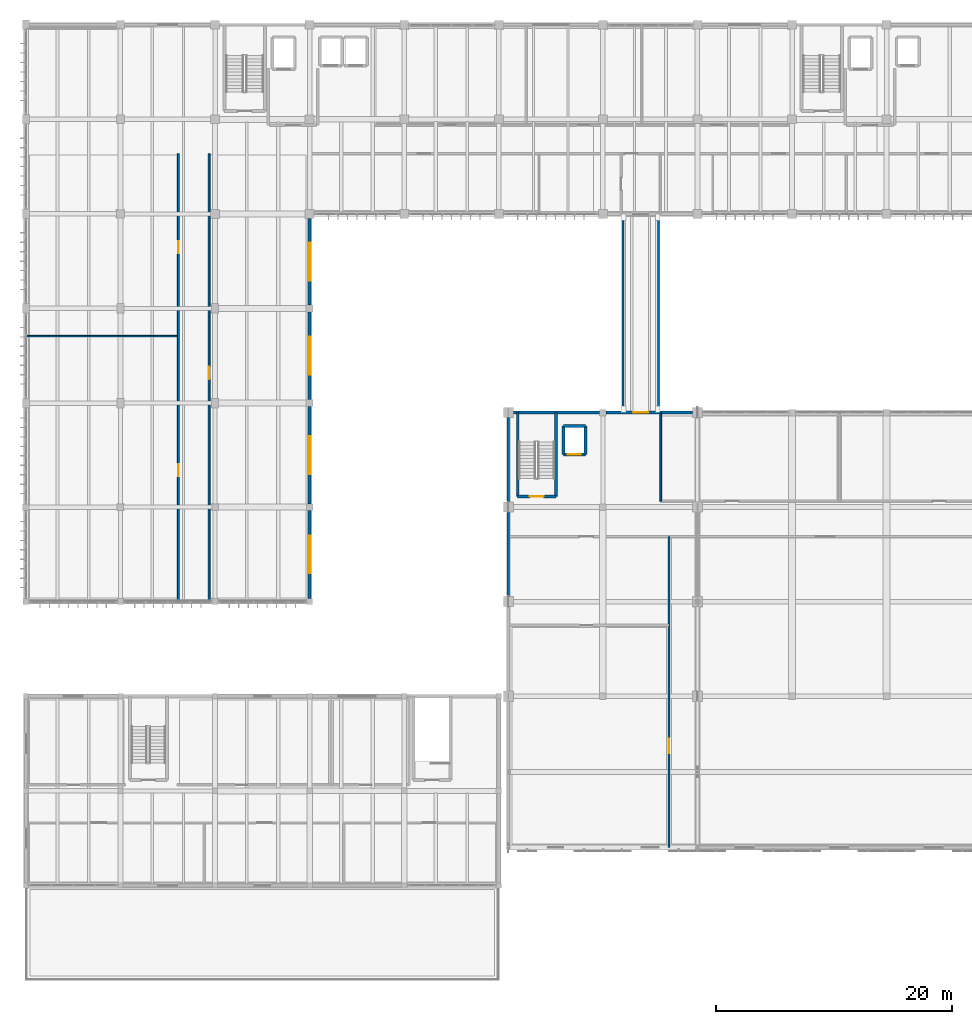
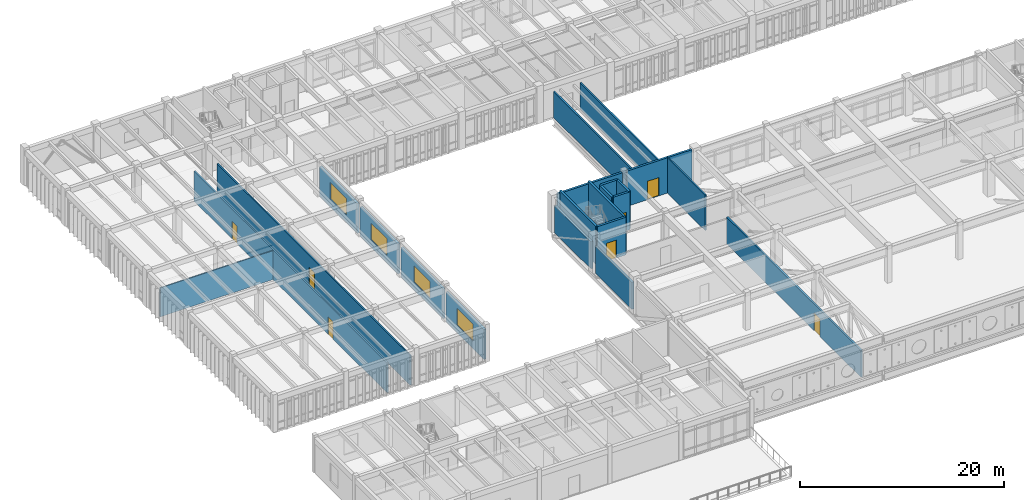
# One storey, part 54 of 79: 22 walls, 7 doors, 4 windows, 11 openings.
"""IFC4 building model written with IfcOpenShell, lengths in metres."""

from ifc_helpers import new_model, si_unit, direction, frame, frame_2d, origin, place, context, subcontext, project, spatial, rectangle, extrude, material, layer, layer_set, type_object, element, fill, save


model = new_model("IFC4")

# Units and contexts
model_context = context("Model", 3, precision=1e-05, world=origin(), true_north=direction((0.0, 1.0)))
body_context = subcontext(model_context, "Body", "Model", "MODEL_VIEW")
ifc_project = project(units=[si_unit("LENGTHUNIT", "METRE"), si_unit("AREAUNIT", "SQUARE_METRE"), si_unit("VOLUMEUNIT", "CUBIC_METRE"), si_unit("PLANEANGLEUNIT", "RADIAN"), si_unit("MASSUNIT", "GRAM", prefix="KILO")], contexts=[model_context])

# Site, building, storey
site_placement = place(None, origin())
site = spatial("IfcSite", under=ifc_project, at=site_placement, CompositionType="ELEMENT")
building_placement = place(site_placement, origin())
building = spatial("IfcBuilding", under=site, at=building_placement, Name="Tlaxcora Railside Police Headquarters", CompositionType="ELEMENT")
storey_placement = place(building_placement, frame((0.0, 0.0, 9.0)))
storey = spatial("IfcBuildingStorey", under=building, at=storey_placement, Name="L02", CompositionType="ELEMENT", Elevation=9.0)

# Wall, opening, door
ifc_material_1 = material(Name="Gypsum acoustic partition board")
ifc_layer_1 = layer(ifc_material_1, 0.18994140625, Name="Gypsum acoustic partition board")
ifc_layer_set_1 = layer_set([ifc_layer_1], Name="Gypsum acoustic partition board")
wall_type_1 = type_object("IfcWallType", Name="Interior Partition Wall IW-72", PredefinedType="PARTITIONING", material=ifc_layer_set_1)
wall_1_placement = place(storey_placement, frame((59.60009765625, 23.199951171875, 0.0), z_axis=(0.0, 0.0, 1.0), x_axis=(0.0, 1.0, 0.0)))
wall_1 = element("IfcWall", 1, at=wall_1_placement, inside=storey, type_object=wall_type_1, Name="V2 L02 interior partition 131", PredefinedType="PARTITIONING", context=body_context, shape_type="SweptSolid", body=[
    extrude(rectangle(XDim=26.300048828125, YDim=0.18994140625, at=frame_2d((13.14990234375, 0.0))), origin(), (0.0, 0.0, 1.0), 3.197021484375),
])
opening_1_placement = place(wall_1_placement, frame((8.0, 0.0, 0.0)))
opening_1 = element("IfcOpeningElement", 2, at=opening_1_placement, cuts=wall_1, Name="Opening D-L02-166", PredefinedType="OPENING", context=body_context, shape_type="SweptSolid", body=[
    extrude(rectangle(XDim=1.199951171875, YDim=2.14990234375, at=frame_2d((0.60009765625, 1.074951171875))), frame((0.0, 0.10498046875, 0.0), z_axis=(0.0, -1.0, 0.0), x_axis=(1.0, 0.0, 0.0)), (0.0, 0.0, 1.0), 0.2099609375),
])
ifc_material_2 = material(Name="Steel ASTM A992 Grade 50", Category="steel")
door_type_1 = type_object("IfcDoorType", Name="Swing or Sliding Personnel Door ID-14", OperationType="NOTDEFINED", PredefinedType="DOOR", material=ifc_material_2)
door_1_placement = place(opening_1_placement, origin())
door_1 = element("IfcDoor", 3, at=door_1_placement, inside=storey, type_object=door_type_1, Name="V2 L02 door D-L02-166", OperationType="DOUBLE_DOOR_SINGLE_SWING", OverallHeight=2.14990234375, OverallWidth=1.199951171875, PredefinedType="DOOR", context=body_context, shape_type="SweptSolid", body=[
    extrude(rectangle(XDim=1.199951171875, YDim=2.14990234375, at=frame_2d((0.60009765625, 1.074951171875))), frame((0.0, 0.02490234375, 0.0), z_axis=(0.0, -1.0, 0.0), x_axis=(1.0, 0.0, 0.0)), (0.0, 0.0, 1.0), 0.050048828125),
])
fill(opening_1, door_1)

# Wall
ifc_layer_2 = layer(ifc_material_1, 0.159912109375, Name="Gypsum acoustic partition board")
ifc_layer_set_2 = layer_set([ifc_layer_2], Name="Gypsum acoustic partition board")
wall_type_2 = type_object("IfcWallType", Name="Interior Partition Wall IW-73", PredefinedType="PARTITIONING", material=ifc_layer_set_2)
wall_2_placement = place(storey_placement, frame((58.89990234375, 52.5, 0.0), z_axis=(0.0, 0.0, 1.0), x_axis=(0.0, 1.0, 0.0)))
element("IfcWall", 4, at=wall_2_placement, inside=storey, type_object=wall_type_2, Name="V2 L02 interior partition 137", PredefinedType="PARTITIONING", context=body_context, shape_type="SweptSolid", body=[
    extrude(rectangle(XDim=7.5, YDim=0.159912109375, at=frame_2d((3.75, 0.0))), origin(), (0.0, 0.0, 1.0), 4.219970703125),
])

# Wall, openings, doors
wall_3_placement = place(storey_placement, frame((18.10009765625, 44.080078125, 0.0), z_axis=(0.0, 0.0, 1.0), x_axis=(0.0, 1.0, 0.0)))
wall_3 = element("IfcWall", 5, at=wall_3_placement, inside=storey, type_object=wall_type_2, Name="V5 L02 interior partition 161", PredefinedType="PARTITIONING", context=body_context, shape_type="SweptSolid", body=[
    extrude(rectangle(XDim=37.81982421875, YDim=0.159912109375, at=frame_2d((18.909912109375, 0.0))), origin(), (0.0, 0.0, 1.0), 3.554931640625),
])
opening_2_placement = place(wall_3_placement, frame((10.5400390625, 0.0, 0.0)))
opening_2 = element("IfcOpeningElement", 6, at=opening_2_placement, cuts=wall_3, Name="Opening D-L02-194", PredefinedType="OPENING", context=body_context, shape_type="SweptSolid", body=[
    extrude(rectangle(XDim=1.0, YDim=2.10009765625, at=frame_2d((0.5, 1.050048828125))), frame((0.0, 0.08984375, 0.0), z_axis=(0.0, -1.0, 0.0), x_axis=(1.0, 0.0, 0.0)), (0.0, 0.0, 1.0), 0.179931640625),
])
opening_3_placement = place(wall_3_placement, frame((29.3701171875, 0.0, 0.0)))
opening_3 = element("IfcOpeningElement", 7, at=opening_3_placement, cuts=wall_3, Name="Opening D-L02-195", PredefinedType="OPENING", context=body_context, shape_type="SweptSolid", body=[
    extrude(rectangle(XDim=1.02001953125, YDim=2.1201171875, at=frame_2d((0.510009765625, 1.06005859375))), frame((0.0, 0.08984375, 0.0), z_axis=(0.0, -1.0, 0.0), x_axis=(1.0, 0.0, 0.0)), (0.0, 0.0, 1.0), 0.179931640625),
])
door_type_2 = type_object("IfcDoorType", Name="Swing or Sliding Personnel Door ID-48", OperationType="NOTDEFINED", PredefinedType="DOOR", material=ifc_material_2)
door_2_placement = place(opening_3_placement, origin())
door_2 = element("IfcDoor", 8, at=door_2_placement, inside=storey, type_object=door_type_2, Name="V5 L02 door D-L02-195", OperationType="SINGLE_SWING_RIGHT", OverallHeight=2.1201171875, OverallWidth=1.02001953125, PredefinedType="DOOR", context=body_context, shape_type="SweptSolid", body=[
    extrude(rectangle(XDim=1.02001953125, YDim=2.1201171875, at=frame_2d((0.510009765625, 1.06005859375))), frame((0.0, 0.02490234375, 0.0), z_axis=(0.0, -1.0, 0.0), x_axis=(1.0, 0.0, 0.0)), (0.0, 0.0, 1.0), 0.050048828125),
])
fill(opening_3, door_2)
door_type_3 = type_object("IfcDoorType", Name="Swing or Sliding Personnel Door ID-89", OperationType="NOTDEFINED", PredefinedType="DOOR", material=ifc_material_2)
door_3_placement = place(opening_2_placement, origin())
door_3 = element("IfcDoor", 9, at=door_3_placement, inside=storey, type_object=door_type_3, Name="V5 L02 door D-L02-194", OperationType="SINGLE_SWING_LEFT", OverallHeight=2.10009765625, OverallWidth=1.0, PredefinedType="DOOR", context=body_context, shape_type="SweptSolid", body=[
    extrude(rectangle(XDim=1.0, YDim=2.10009765625, at=frame_2d((0.5, 1.050048828125))), frame((0.0, 0.02490234375, 0.0), z_axis=(0.0, -1.0, 0.0), x_axis=(1.0, 0.0, 0.0)), (0.0, 0.0, 1.0), 0.050048828125),
])
fill(opening_2, door_3)

# Wall, opening, door
wall_4_placement = place(storey_placement, frame((20.699951171875, 44.080078125, 0.0), z_axis=(0.0, 0.0, 1.0), x_axis=(0.0, 1.0, 0.0)))
wall_4 = element("IfcWall", 10, at=wall_4_placement, inside=storey, type_object=wall_type_2, Name="V5 L02 interior partition 162", PredefinedType="PARTITIONING", context=body_context, shape_type="SweptSolid", body=[
    extrude(rectangle(XDim=37.81982421875, YDim=0.159912109375, at=frame_2d((18.909912109375, 0.0))), origin(), (0.0, 0.0, 1.0), 3.554931640625),
])
opening_4_placement = place(wall_4_placement, frame((18.75, 0.0, 0.0)))
opening_4 = element("IfcOpeningElement", 11, at=opening_4_placement, cuts=wall_4, Name="Opening D-L02-196", PredefinedType="OPENING", context=body_context, shape_type="SweptSolid", body=[
    extrude(rectangle(XDim=1.050048828125, YDim=2.10009765625, at=frame_2d((0.52490234375, 1.050048828125))), frame((0.0, 0.08984375, 0.0), z_axis=(0.0, -1.0, 0.0), x_axis=(1.0, 0.0, 0.0)), (0.0, 0.0, 1.0), 0.179931640625),
])
door_type_4 = type_object("IfcDoorType", Name="Swing or Sliding Personnel Door ID-52", OperationType="NOTDEFINED", PredefinedType="DOOR", material=ifc_material_2)
door_4_placement = place(opening_4_placement, origin())
door_4 = element("IfcDoor", 12, at=door_4_placement, inside=storey, type_object=door_type_4, Name="V5 L02 door D-L02-196", OperationType="SINGLE_SWING_LEFT", OverallHeight=2.10009765625, OverallWidth=1.050048828125, PredefinedType="DOOR", context=body_context, shape_type="SweptSolid", body=[
    extrude(rectangle(XDim=1.050048828125, YDim=2.10009765625, at=frame_2d((0.52490234375, 1.050048828125))), frame((0.0, 0.02490234375, 0.0), z_axis=(0.0, -1.0, 0.0), x_axis=(1.0, 0.0, 0.0)), (0.0, 0.0, 1.0), 0.050048828125),
])
fill(opening_4, door_4)

# Walls
ifc_layer_3 = layer(ifc_material_1, 0.114990234375, Name="Gypsum acoustic partition board")
ifc_layer_set_3 = layer_set([ifc_layer_3], Name="Gypsum acoustic partition board")
wall_type_3 = type_object("IfcWallType", Name="Interior Partition Wall IW-87", PredefinedType="PARTITIONING", material=ifc_layer_set_3)
wall_5_placement = place(storey_placement, frame((5.280029296875, 66.458984375, 0.0), z_axis=(0.0, 0.0, 1.0), x_axis=(1.0, 0.0, 0.0)))
element("IfcWall", 13, at=wall_5_placement, inside=storey, type_object=wall_type_3, Name="V5 L02 interior partition 160", PredefinedType="PARTITIONING", context=body_context, shape_type="SweptSolid", body=[
    extrude(rectangle(XDim=12.719970703125, YDim=0.114990234375, at=frame_2d((6.35986328125, 0.0))), origin(), (0.0, 0.0, 1.0), 3.455078125),
])
ifc_material_3 = material(Name="Precast concrete C40/50", Category="concrete")
ifc_layer_4 = layer(ifc_material_3, 0.179931640625, Name="Precast concrete C40/50")
ifc_layer_set_4 = layer_set([ifc_layer_4], Name="Precast concrete C40/50")
wall_type_4 = type_object("IfcWallType", Name="Roof Parapet Wall EW-45", PredefinedType="PARAPET", material=ifc_layer_set_4)
for number, where, z_axis, x_axis, name in (
    (14, (55.699951171875, 60.14990234375, 0.0), (0.0, 0.0, 1.0), (0.0, 1.0, 0.0), "L02 link bridge west wall"),
    (15, (58.699951171875, 76.64990234375, 0.0), (0.0, 0.0, 1.0), (0.0, -1.0, 0.0), "L02 link bridge east wall"),
):
    element("IfcWall", number, at=place(storey_placement, frame(where, z_axis=z_axis, x_axis=x_axis)), inside=storey, type_object=wall_type_4, Name=name, PredefinedType="PARAPET", context=body_context, shape_type="SweptSolid", body=[
        extrude(rectangle(XDim=16.5, YDim=0.179931640625, at=frame_2d((8.25, 0.0))), origin(), (0.0, 0.0, 1.0), 3.10009765625),
    ])

# Wall, opening, door
ifc_material_4 = material(Name="Concrete C40/50", Category="concrete")
ifc_layer_5 = layer(ifc_material_4, 0.25, Name="Concrete C40/50")
ifc_layer_set_5 = layer_set([ifc_layer_5], Name="Concrete C40/50")
wall_type_5 = type_object("IfcWallType", Name="Shear Core Wall IW-13", PredefinedType="SHEAR", material=ifc_layer_set_5)
wall_6_placement = place(storey_placement, frame((46.800048828125, 52.89990234375, 0.0), z_axis=(0.0, 0.0, 1.0), x_axis=(1.0, 0.0, 0.0)))
wall_6 = element("IfcWall", 16, at=wall_6_placement, inside=storey, type_object=wall_type_5, Name="CORE-C4 L02 stair core wall S", PredefinedType="SHEAR", context=body_context, shape_type="SweptSolid", body=[
    extrude(rectangle(XDim=3.219970703125, YDim=0.25, at=frame_2d((1.60986328125, 0.0))), origin(), (0.0, 0.0, 1.0), 4.5),
])
opening_5_placement = place(wall_6_placement, frame((1.034912109375, 0.0, 0.0)))
opening_5 = element("IfcOpeningElement", 17, at=opening_5_placement, cuts=wall_6, Name="Opening SD-L02-034", PredefinedType="OPENING", context=body_context, shape_type="SweptSolid", body=[
    extrude(rectangle(XDim=1.14990234375, YDim=2.14990234375, at=frame_2d((0.574951171875, 1.074951171875))), frame((0.0, 0.135009765625, 0.0), z_axis=(0.0, -1.0, 0.0), x_axis=(1.0, 0.0, 0.0)), (0.0, 0.0, 1.0), 0.27001953125),
])
door_type_5 = type_object("IfcDoorType", Name="Swing or Sliding Personnel Door ID-73", OperationType="NOTDEFINED", PredefinedType="DOOR", material=ifc_material_2)
door_5_placement = place(opening_5_placement, origin())
door_5 = element("IfcDoor", 18, at=door_5_placement, inside=storey, type_object=door_type_5, Name="Stair ST4 L02 enclosure fire door", OperationType="SINGLE_SWING_RIGHT", OverallHeight=2.14990234375, OverallWidth=1.14990234375, PredefinedType="DOOR", context=body_context, shape_type="SweptSolid", body=[
    extrude(rectangle(XDim=1.14990234375, YDim=2.14990234375, at=frame_2d((0.574951171875, 1.074951171875))), frame((0.0, 0.02490234375, 0.0), z_axis=(0.0, -1.0, 0.0), x_axis=(1.0, 0.0, 0.0)), (0.0, 0.0, 1.0), 0.050048828125),
])
fill(opening_5, door_5)

# Walls
for number, where, z_axis, x_axis, name in (
    (19, (50.02001953125, 52.89990234375, 0.0), (0.0, 0.0, 1.0), (0.0, 1.0, 0.0), "CORE-C4 L02 stair core wall E"),
    (20, (46.800048828125, 60.0, 0.0), (0.0, 0.0, 1.0), (0.0, -1.0, 0.0), "CORE-C4 L02 stair core wall W"),
):
    element("IfcWall", number, at=place(storey_placement, frame(where, z_axis=z_axis, x_axis=x_axis)), inside=storey, type_object=wall_type_5, Name=name, PredefinedType="SHEAR", context=body_context, shape_type="SweptSolid", body=[
        extrude(rectangle(XDim=7.10009765625, YDim=0.25, at=frame_2d((3.550048828125, 0.0))), origin(), (0.0, 0.0, 1.0), 4.5),
    ])

# Wall, opening, door
wall_7_placement = place(storey_placement, frame((50.659912109375, 56.4599609375, 0.0), z_axis=(0.0, 0.0, 1.0), x_axis=(1.0, 0.0, 0.0)))
wall_7 = element("IfcWall", 21, at=wall_7_placement, inside=storey, type_object=wall_type_5, Name="Lift PL-04 L02 shaft wall S", PredefinedType="SHEAR", context=body_context, shape_type="SweptSolid", body=[
    extrude(rectangle(XDim=1.880126953125, YDim=0.25, at=frame_2d((0.93994140625, 0.0))), origin(), (0.0, 0.0, 1.0), 4.5),
])
opening_6_placement = place(wall_7_placement, frame((0.389892578125, 0.0, 0.0)))
opening_6 = element("IfcOpeningElement", 22, at=opening_6_placement, cuts=wall_7, Name="Opening LD-PL-04-L02", PredefinedType="OPENING", context=body_context, shape_type="SweptSolid", body=[
    extrude(rectangle(XDim=1.10009765625, YDim=2.199951171875, at=frame_2d((0.550048828125, 1.10009765625))), frame((0.0, 0.135009765625, 0.0), z_axis=(0.0, -1.0, 0.0), x_axis=(1.0, 0.0, 0.0)), (0.0, 0.0, 1.0), 0.27001953125),
])
door_type_6 = type_object("IfcDoorType", Name="Swing or Sliding Personnel Door ID-15", OperationType="NOTDEFINED", PredefinedType="DOOR", material=ifc_material_2)
door_6_placement = place(opening_6_placement, origin())
door_6 = element("IfcDoor", 23, at=door_6_placement, inside=storey, type_object=door_type_6, Name="Lift PL-04 L02 sliding landing door", OperationType="DOUBLE_DOOR_SLIDING", OverallHeight=2.199951171875, OverallWidth=1.10009765625, PredefinedType="DOOR", context=body_context, shape_type="SweptSolid", body=[
    extrude(rectangle(XDim=1.10009765625, YDim=2.199951171875, at=frame_2d((0.550048828125, 1.10009765625))), frame((0.0, 0.02490234375, 0.0), z_axis=(0.0, -1.0, 0.0), x_axis=(1.0, 0.0, 0.0)), (0.0, 0.0, 1.0), 0.050048828125),
])
fill(opening_6, door_6)

# Walls
wall_8_placement = place(storey_placement, frame((52.5400390625, 56.4599609375, 0.0), z_axis=(0.0, 0.0, 1.0), x_axis=(0.0, 1.0, 0.0)))
element("IfcWall", 24, at=wall_8_placement, inside=storey, type_object=wall_type_5, Name="Lift PL-04 L02 shaft wall E", PredefinedType="SHEAR", context=body_context, shape_type="SweptSolid", body=[
    extrude(rectangle(XDim=2.380126953125, YDim=0.25, at=frame_2d((1.18994140625, 0.0))), origin(), (0.0, 0.0, 1.0), 4.5),
])
wall_9_placement = place(storey_placement, frame((52.5400390625, 58.840087890625, 0.0), z_axis=(0.0, 0.0, 1.0), x_axis=(-1.0, 0.0, 0.0)))
element("IfcWall", 25, at=wall_9_placement, inside=storey, type_object=wall_type_5, Name="Lift PL-04 L02 shaft wall N", PredefinedType="SHEAR", context=body_context, shape_type="SweptSolid", body=[
    extrude(rectangle(XDim=1.880126953125, YDim=0.25, at=frame_2d((0.93994140625, 0.0))), origin(), (0.0, 0.0, 1.0), 4.5),
])
wall_10_placement = place(storey_placement, frame((50.659912109375, 58.840087890625, 0.0), z_axis=(0.0, 0.0, 1.0), x_axis=(0.0, -1.0, 0.0)))
element("IfcWall", 26, at=wall_10_placement, inside=storey, type_object=wall_type_5, Name="Lift PL-04 L02 shaft wall W", PredefinedType="SHEAR", context=body_context, shape_type="SweptSolid", body=[
    extrude(rectangle(XDim=2.380126953125, YDim=0.25, at=frame_2d((1.18994140625, 0.0))), origin(), (0.0, 0.0, 1.0), 4.5),
])

# Wall, opening, door
ifc_layer_6 = layer(ifc_material_3, 0.2451171875, Name="Precast concrete C40/50")
ifc_layer_set_6 = layer_set([ifc_layer_6], Name="Precast concrete C40/50")
wall_type_6 = type_object("IfcWallType", Name="Structural Bearing Wall EW-94", PredefinedType="SOLIDWALL", material=ifc_layer_set_6)
wall_11_placement = place(storey_placement, frame((61.574951171875, 60.0, 0.0), z_axis=(0.0, 0.0, 1.0), x_axis=(-1.0, 0.0, 0.0)))
wall_11 = element("IfcWall", 27, at=wall_11_placement, inside=storey, type_object=wall_type_6, Name="V2 L02 exterior wall 2.5", PredefinedType="SOLIDWALL", context=body_context, shape_type="SweptSolid", body=[
    extrude(rectangle(XDim=7.300048828125, YDim=0.2451171875, at=frame_2d((3.64990234375, 0.0))), origin(), (0.0, 0.0, 1.0), 4.219970703125),
])
opening_7_placement = place(wall_11_placement, frame((3.72509765625, 0.0, 0.0)))
opening_7 = element("IfcOpeningElement", 28, at=opening_7_placement, cuts=wall_11, Name="Opening BD-01", PredefinedType="OPENING", context=body_context, shape_type="SweptSolid", body=[
    extrude(rectangle(XDim=1.300048828125, YDim=2.199951171875, at=frame_2d((0.64990234375, 1.10009765625))), frame((0.0, 0.132568359375, 0.0), z_axis=(0.0, -1.0, 0.0), x_axis=(1.0, 0.0, 0.0)), (0.0, 0.0, 1.0), 0.26513671875),
])
ifc_material_5 = material(Name="Anodised aluminium framing", Category="aluminium")
door_type_7 = type_object("IfcDoorType", Name="Swing or Sliding Personnel Door ED-62", OperationType="NOTDEFINED", PredefinedType="DOOR", material=ifc_material_5)
door_7_placement = place(opening_7_placement, frame((1.300048828125, 0.0, 0.0), z_axis=(0.0, 0.0, 1.0), x_axis=(-1.0, 0.0, 0.0)))
door_7 = element("IfcDoor", 29, at=door_7_placement, inside=storey, type_object=door_type_7, Name="L02 seismic link bridge S portal door", OperationType="SINGLE_SWING_LEFT", OverallHeight=2.199951171875, OverallWidth=1.300048828125, PredefinedType="DOOR", context=body_context, shape_type="SweptSolid", body=[
    extrude(rectangle(XDim=1.300048828125, YDim=2.199951171875, at=frame_2d((0.64990234375, 1.10009765625))), frame((0.0, 0.02490234375, 0.0), z_axis=(0.0, -1.0, 0.0), x_axis=(1.0, 0.0, 0.0)), (0.0, 0.0, 1.0), 0.050048828125),
])
fill(opening_7, door_7)

# Walls
wall_12_placement = place(storey_placement, frame((53.72509765625, 60.0, 0.0), z_axis=(0.0, 0.0, 1.0), x_axis=(-1.0, 0.0, 0.0)))
element("IfcWall", 30, at=wall_12_placement, inside=storey, type_object=wall_type_6, Name="V2 L02 exterior wall 2.6", PredefinedType="SOLIDWALL", context=body_context, shape_type="SweptSolid", body=[
    extrude(rectangle(XDim=7.300048828125, YDim=0.2451171875, at=frame_2d((3.64990234375, 0.0))), origin(), (0.0, 0.0, 1.0), 4.219970703125),
])
for number, where, z_axis, x_axis, name in (
    (31, (46.0, 59.574951171875, 0.0), (0.0, 0.0, 1.0), (0.0, -1.0, 0.0), "V2 L02 exterior wall 3.0"),
    (32, (46.0, 51.574951171875, 0.0), (0.0, 0.0, 1.0), (0.0, -1.0, 0.0), "V2 L02 exterior wall 3.1"),
):
    element("IfcWall", number, at=place(storey_placement, frame(where, z_axis=z_axis, x_axis=x_axis)), inside=storey, type_object=wall_type_6, Name=name, PredefinedType="SOLIDWALL", context=body_context, shape_type="SweptSolid", body=[
        extrude(rectangle(XDim=7.14990234375, YDim=0.2451171875, at=frame_2d((3.574951171875, 0.0))), origin(), (0.0, 0.0, 1.0), 3.219970703125),
    ])

# Wall, opening, window
wall_13_placement = place(storey_placement, frame((29.199951171875, 44.25, 0.0), z_axis=(0.0, 0.0, 1.0), x_axis=(0.0, 1.0, 0.0)))
wall_13 = element("IfcWall", 33, at=wall_13_placement, inside=storey, type_object=wall_type_6, Name="V5 L02 exterior wall 1.0", PredefinedType="SOLIDWALL", context=body_context, shape_type="SweptSolid", body=[
    extrude(rectangle(XDim=7.47509765625, YDim=0.2451171875, at=frame_2d((3.737548828125, 0.0))), origin(), (0.0, 0.0, 1.0), 3.570068359375),
])
opening_8_placement = place(wall_13_placement, frame((2.137451171875, 0.0, 0.89990234375)))
opening_8 = element("IfcOpeningElement", 34, at=opening_8_placement, cuts=wall_13, Name="Opening WN-64", PredefinedType="OPENING", context=body_context, shape_type="SweptSolid", body=[
    extrude(rectangle(XDim=3.199951171875, YDim=2.0, at=frame_2d((1.60009765625, 1.0))), frame((0.0, 0.132568359375, 0.0), z_axis=(0.0, -1.0, 0.0), x_axis=(1.0, 0.0, 0.0)), (0.0, 0.0, 1.0), 0.26513671875),
])
ifc_material_6 = material(Name="Thermally broken low-E insulated glazing", Category="glass")
window_type = type_object("IfcWindowType", Name="Exterior Framed or Circular Window WN-64", PartitioningType="SINGLE_PANEL", PredefinedType="WINDOW", material=ifc_material_6)
window_1_placement = place(opening_8_placement, origin())
window_1 = element("IfcWindow", 35, at=window_1_placement, inside=storey, type_object=window_type, Name="V5 L02 window 123", OverallHeight=2.0, OverallWidth=3.199951171875, PartitioningType="SINGLE_PANEL", PredefinedType="WINDOW", context=body_context, shape_type="SweptSolid", body=[
    extrude(rectangle(XDim=3.199951171875, YDim=2.0, at=frame_2d((1.60009765625, 1.0))), frame((0.0, 0.030029296875, 0.0), z_axis=(0.0, -1.0, 0.0), x_axis=(1.0, 0.0, 0.0)), (0.0, 0.0, 1.0), 0.06005859375),
])
fill(opening_8, window_1)

wall_14_placement = place(storey_placement, frame((29.199951171875, 52.27490234375, 0.0), z_axis=(0.0, 0.0, 1.0), x_axis=(0.0, 1.0, 0.0)))
wall_14 = element("IfcWall", 36, at=wall_14_placement, inside=storey, type_object=wall_type_6, Name="V5 L02 exterior wall 1.1", PredefinedType="SOLIDWALL", context=body_context, shape_type="SweptSolid", body=[
    extrude(rectangle(XDim=8.22509765625, YDim=0.2451171875, at=frame_2d((4.112548828125, 0.0))), origin(), (0.0, 0.0, 1.0), 3.570068359375),
])
opening_9_placement = place(wall_14_placement, frame((2.512451171875, 0.0, 0.89990234375)))
opening_9 = element("IfcOpeningElement", 37, at=opening_9_placement, cuts=wall_14, Name="Opening WN-64", PredefinedType="OPENING", context=body_context, shape_type="SweptSolid", body=[
    extrude(rectangle(XDim=3.199951171875, YDim=2.0, at=frame_2d((1.60009765625, 1.0))), frame((0.0, 0.132568359375, 0.0), z_axis=(0.0, -1.0, 0.0), x_axis=(1.0, 0.0, 0.0)), (0.0, 0.0, 1.0), 0.26513671875),
])
window_2_placement = place(opening_9_placement, origin())
window_2 = element("IfcWindow", 38, at=window_2_placement, inside=storey, type_object=window_type, Name="V5 L02 window 124", OverallHeight=2.0, OverallWidth=3.199951171875, PartitioningType="SINGLE_PANEL", PredefinedType="WINDOW", context=body_context, shape_type="SweptSolid", body=[
    extrude(rectangle(XDim=3.199951171875, YDim=2.0, at=frame_2d((1.60009765625, 1.0))), frame((0.0, 0.030029296875, 0.0), z_axis=(0.0, -1.0, 0.0), x_axis=(1.0, 0.0, 0.0)), (0.0, 0.0, 1.0), 0.06005859375),
])
fill(opening_9, window_2)

wall_15_placement = place(storey_placement, frame((29.199951171875, 61.10009765625, 0.0), z_axis=(0.0, 0.0, 1.0), x_axis=(0.0, 1.0, 0.0)))
wall_15 = element("IfcWall", 39, at=wall_15_placement, inside=storey, type_object=wall_type_6, Name="V5 L02 exterior wall 1.2", PredefinedType="SOLIDWALL", context=body_context, shape_type="SweptSolid", body=[
    extrude(rectangle(XDim=7.39990234375, YDim=0.2451171875, at=frame_2d((3.699951171875, 0.0))), origin(), (0.0, 0.0, 1.0), 3.570068359375),
])
opening_10_placement = place(wall_15_placement, frame((2.10009765625, 0.0, 0.89990234375)))
opening_10 = element("IfcOpeningElement", 40, at=opening_10_placement, cuts=wall_15, Name="Opening WN-64", PredefinedType="OPENING", context=body_context, shape_type="SweptSolid", body=[
    extrude(rectangle(XDim=3.199951171875, YDim=2.0, at=frame_2d((1.60009765625, 1.0))), frame((0.0, 0.132568359375, 0.0), z_axis=(0.0, -1.0, 0.0), x_axis=(1.0, 0.0, 0.0)), (0.0, 0.0, 1.0), 0.26513671875),
])
window_3_placement = place(opening_10_placement, origin())
window_3 = element("IfcWindow", 41, at=window_3_placement, inside=storey, type_object=window_type, Name="V5 L02 window 125", OverallHeight=2.0, OverallWidth=3.199951171875, PartitioningType="SINGLE_PANEL", PredefinedType="WINDOW", context=body_context, shape_type="SweptSolid", body=[
    extrude(rectangle(XDim=3.199951171875, YDim=2.0, at=frame_2d((1.60009765625, 1.0))), frame((0.0, 0.030029296875, 0.0), z_axis=(0.0, -1.0, 0.0), x_axis=(1.0, 0.0, 0.0)), (0.0, 0.0, 1.0), 0.06005859375),
])
fill(opening_10, window_3)

wall_16_placement = place(storey_placement, frame((29.199951171875, 69.10009765625, 0.0), z_axis=(0.0, 0.0, 1.0), x_axis=(0.0, 1.0, 0.0)))
wall_16 = element("IfcWall", 42, at=wall_16_placement, inside=storey, type_object=wall_type_6, Name="V5 L02 exterior wall 1.3", PredefinedType="SOLIDWALL", context=body_context, shape_type="SweptSolid", body=[
    extrude(rectangle(XDim=7.324951171875, YDim=0.2451171875, at=frame_2d((3.66259765625, 0.0))), origin(), (0.0, 0.0, 1.0), 3.570068359375),
])
opening_11_placement = place(wall_16_placement, frame((2.0625, 0.0, 0.89990234375)))
opening_11 = element("IfcOpeningElement", 43, at=opening_11_placement, cuts=wall_16, Name="Opening WN-64", PredefinedType="OPENING", context=body_context, shape_type="SweptSolid", body=[
    extrude(rectangle(XDim=3.199951171875, YDim=2.0, at=frame_2d((1.60009765625, 1.0))), frame((0.0, 0.132568359375, 0.0), z_axis=(0.0, -1.0, 0.0), x_axis=(1.0, 0.0, 0.0)), (0.0, 0.0, 1.0), 0.26513671875),
])
window_4_placement = place(opening_11_placement, origin())
window_4 = element("IfcWindow", 44, at=window_4_placement, inside=storey, type_object=window_type, Name="V5 L02 window 126", OverallHeight=2.0, OverallWidth=3.199951171875, PartitioningType="SINGLE_PANEL", PredefinedType="WINDOW", context=body_context, shape_type="SweptSolid", body=[
    extrude(rectangle(XDim=3.199951171875, YDim=2.0, at=frame_2d((1.60009765625, 1.0))), frame((0.0, 0.030029296875, 0.0), z_axis=(0.0, -1.0, 0.0), x_axis=(1.0, 0.0, 0.0)), (0.0, 0.0, 1.0), 0.06005859375),
])
fill(opening_11, window_4)

save(model, "model.ifc")
